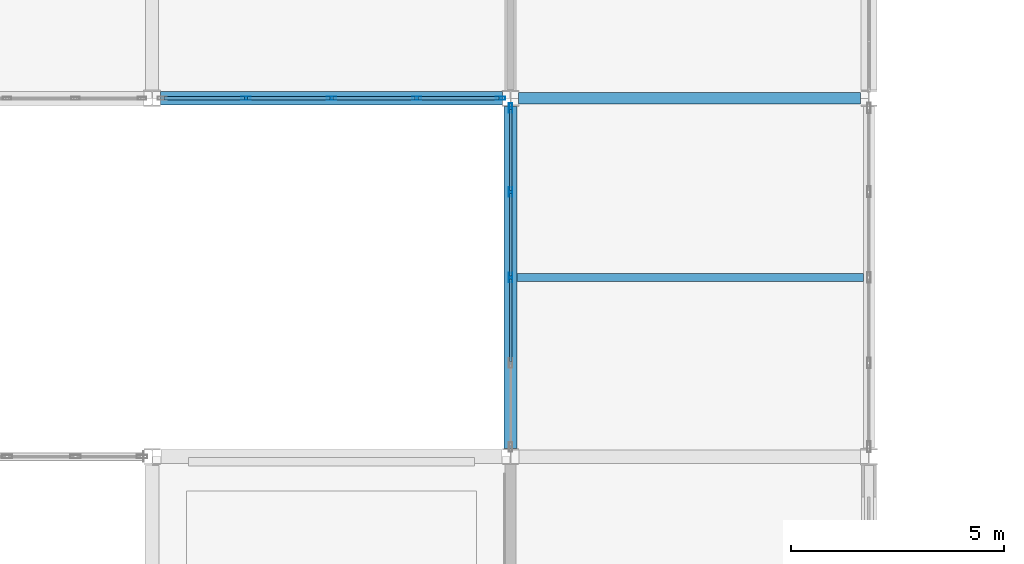
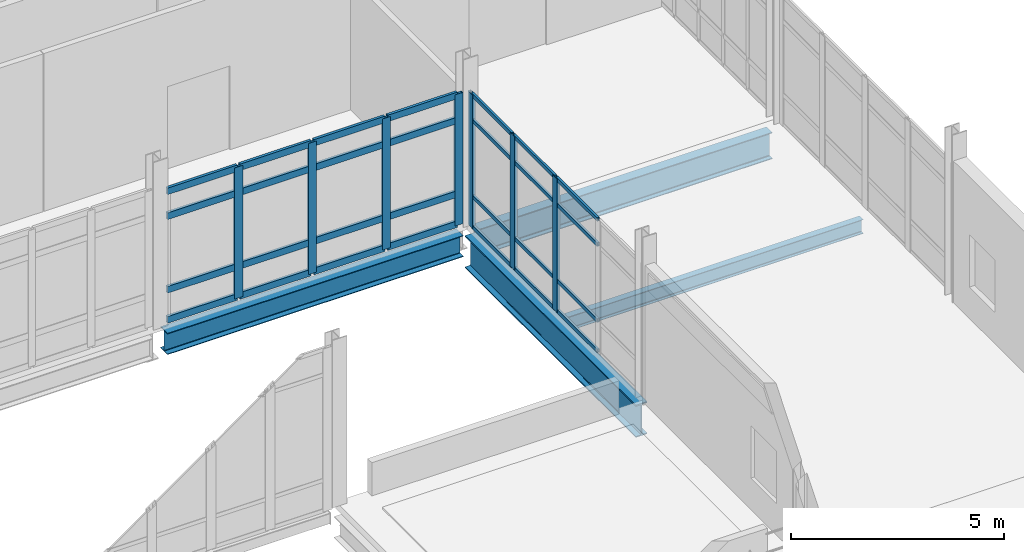
# One storey, part 50 of 186: 35 members, 4 beams, 2 elements without a shape of their own.
"""IFC4 building model written with IfcOpenShell, lengths in metres."""

from ifc_helpers import new_model, si_unit, direction, frame, origin, origin_2d, place, context, subcontext, project, spatial, hollow_rectangle, i_section, extrude, material, layer, layer_set, material_profile, profile_set, type_object, element, aggregate, save


model = new_model("IFC4")

# Units and contexts
model_context = context("Model", 3, precision=1e-05, world=origin(), true_north=direction((0.0, 1.0)))
body_context = subcontext(model_context, "Body", "Model", "MODEL_VIEW")
ifc_project = project(units=[si_unit("LENGTHUNIT", "METRE"), si_unit("AREAUNIT", "SQUARE_METRE"), si_unit("VOLUMEUNIT", "CUBIC_METRE"), si_unit("PLANEANGLEUNIT", "RADIAN"), si_unit("MASSUNIT", "GRAM", prefix="KILO")], contexts=[model_context])

# Site, building, storey
site_placement = place(None, origin())
site = spatial("IfcSite", under=ifc_project, at=site_placement, CompositionType="ELEMENT")
building_placement = place(site_placement, origin())
building = spatial("IfcBuilding", under=site, at=building_placement, Name="Calvrana Isthmian Art Gallery", CompositionType="ELEMENT")
storey_placement = place(building_placement, frame((0.0, 0.0, 5.39990234375)))
storey = spatial("IfcBuildingStorey", under=building, at=storey_placement, Name="L01", CompositionType="ELEMENT", Elevation=5.39990234375)

# Beams
ifc_material_1 = material(Name="Steel ASTM A992 Gr 50", Category="steel")
ifc_material_profile_1 = material_profile(ifc_material_1, i_section(OverallWidth=0.324951171875, OverallDepth=0.612060546875, WebThickness=0.0126953125, FlangeThickness=0.01904296875, FilletRadius=0.02197265625, at=origin_2d()), Name="W24X104")
ifc_profile_set_1 = profile_set([ifc_material_profile_1], Name="Steel ASTM A992 Gr 50")
beam_type_1 = type_object("IfcBeamType", Name="BM-G-W24X104", PredefinedType="BEAM", material=ifc_profile_set_1)
beam_1_placement = place(storey_placement, frame((63.797119140625, 30.0, -0.55078125), z_axis=(1.0, 0.0, 0.0), x_axis=(0.0, 1.0, 0.0)))
element("IfcBeam", 1, at=beam_1_placement, inside=storey, type_object=beam_type_1, Name="Girder X L01 09-10/E", PredefinedType="BEAM", context=body_context, shape_type="SweptSolid", body=[
    extrude(i_section(OverallWidth=0.324951171875, OverallDepth=0.612060546875, WebThickness=0.0126953125, FlangeThickness=0.01904296875, FilletRadius=0.02197265625, at=origin_2d()), origin(), (0.0, 0.0, 1.0), 8.016357421875),
])
ifc_material_profile_2 = material_profile(ifc_material_1, i_section(OverallWidth=0.26708984375, OverallDepth=0.761962890625, WebThickness=0.014404296875, FlangeThickness=0.021484375, FilletRadius=0.02490234375, at=origin_2d()), Name="W30X116")
ifc_profile_set_2 = profile_set([ifc_material_profile_2], Name="Steel ASTM A992 Gr 50")
beam_type_2 = type_object("IfcBeamType", Name="BM-G-W30X116", PredefinedType="BEAM", material=ifc_profile_set_2)
beam_2_placement = place(storey_placement, frame((72.1865234375, 30.0, -0.6259765625), z_axis=(1.0, 0.0, 0.0), x_axis=(0.0, 1.0, 0.0)))
element("IfcBeam", 2, at=beam_2_placement, inside=storey, type_object=beam_type_2, Name="Girder X L01 10-11/E", PredefinedType="BEAM", context=body_context, shape_type="SweptSolid", body=[
    extrude(i_section(OverallWidth=0.26708984375, OverallDepth=0.761962890625, WebThickness=0.014404296875, FlangeThickness=0.021484375, FilletRadius=0.02490234375, at=origin_2d()), origin(), (0.0, 0.0, 1.0), 8.013916015625),
])
ifc_material_profile_3 = material_profile(ifc_material_1, i_section(OverallWidth=0.306884765625, OverallDepth=0.927001953125, WebThickness=0.019287109375, FlangeThickness=0.031982421875, FilletRadius=0.028076171875, at=origin_2d()), Name="W36X194")
ifc_profile_set_3 = profile_set([ifc_material_profile_3], Name="Steel ASTM A992 Gr 50")
beam_type_3 = type_object("IfcBeamType", Name="BM-G-W36X194", PredefinedType="BEAM", material=ifc_profile_set_3)
beam_3_placement = place(storey_placement, frame((72.0, 21.797119140625, -0.70849609375), z_axis=(0.0, 1.0, 0.0), x_axis=(-1.0, 0.0, 0.0)))
element("IfcBeam", 3, at=beam_3_placement, inside=storey, type_object=beam_type_3, Name="Girder Y L01 10/D-E", PredefinedType="BEAM", context=body_context, shape_type="SweptSolid", body=[
    extrude(i_section(OverallWidth=0.306884765625, OverallDepth=0.927001953125, WebThickness=0.019287109375, FlangeThickness=0.031982421875, FilletRadius=0.028076171875, at=origin_2d()), origin(), (0.0, 0.0, 1.0), 8.016357421875),
])
ifc_material_profile_4 = material_profile(ifc_material_1, i_section(OverallWidth=0.177978515625, OverallDepth=0.404052734375, WebThickness=0.007568359375, FlangeThickness=0.010986328125, FilletRadius=0.01806640625, at=origin_2d()), Name="W16X36")
ifc_profile_set_4 = profile_set([ifc_material_profile_4], Name="Steel ASTM A992 Gr 50")
beam_type_4 = type_object("IfcBeamType", Name="BM-J-W16X36", PredefinedType="JOIST", material=ifc_profile_set_4)
beam_4_placement = place(storey_placement, frame((72.153564453125, 25.800048828125, -0.447021484375), z_axis=(1.0, 0.0, 0.0), x_axis=(0.0, 1.0, 0.0)))
element("IfcBeam", 4, at=beam_4_placement, inside=storey, type_object=beam_type_4, Name="Composite joist L01 bay 09-03", PredefinedType="JOIST", context=body_context, shape_type="SweptSolid", body=[
    extrude(i_section(OverallWidth=0.177978515625, OverallDepth=0.404052734375, WebThickness=0.007568359375, FlangeThickness=0.010986328125, FilletRadius=0.01806640625, at=origin_2d()), origin(), (0.0, 0.0, 1.0), 8.117919921875),
])

# Curtain wall, members
ifc_material_2 = material(Name="Anodized bronze aluminium 6063-T6", Category="aluminium")
ifc_layer = layer(ifc_material_2, 0.179931640625, Name="Anodized bronze aluminium 6063-T6")
ifc_layer_set = layer_set([ifc_layer], Name="Anodized bronze aluminium 6063-T6")
curtain_wall_type = type_object("IfcCurtainWallType", Name="CW-UNIT-080X38", PredefinedType="USERDEFINED", material=ifc_layer_set)
curtain_wall_1_placement = place(storey_placement, origin())
curtain_wall_1 = element("IfcCurtainWall", 5, at=curtain_wall_1_placement, inside=storey, type_object=curtain_wall_type, Name="Curtain wall CW-094", ObjectType="UNITISED CURTAIN WALL", PredefinedType="USERDEFINED")
ifc_material_profile_5 = material_profile(ifc_material_2, hollow_rectangle(XDim=0.074951171875, YDim=0.219970703125, WallThickness=0.0048828125, at=origin_2d()), Name="CWM75X220")
ifc_profile_set_5 = profile_set([ifc_material_profile_5], Name="Anodized bronze aluminium 6063-T6")
member_type_1 = type_object("IfcMemberType", Name="CWM-CWM75X220", PredefinedType="MULLION", material=ifc_profile_set_5)
member_1_placement = place(storey_placement, frame((71.765380859375, 30.0, 0.0), z_axis=(0.0, 0.0, 1.0), x_axis=(0.0, -1.0, 0.0)))
member_1 = element("IfcMember", 6, at=member_1_placement, type_object=member_type_1, Name="CW-094 mullion 1", PredefinedType="MULLION", context=body_context, shape_type="SweptSolid", body=[
    extrude(hollow_rectangle(XDim=0.074951171875, YDim=0.219970703125, WallThickness=0.0048828125, at=origin_2d()), origin(), (0.0, 0.0, 1.0), 3.758056640625),
])
member_2_placement = place(storey_placement, frame((69.8017578125, 30.0, 0.0), z_axis=(0.0, 0.0, 1.0), x_axis=(0.0, -1.0, 0.0)))
member_2 = element("IfcMember", 7, at=member_2_placement, type_object=member_type_1, Name="CW-094 mullion 2", PredefinedType="MULLION", context=body_context, shape_type="SweptSolid", body=[
    extrude(hollow_rectangle(XDim=0.074951171875, YDim=0.219970703125, WallThickness=0.0048828125, at=origin_2d()), origin(), (0.0, 0.0, 1.0), 3.758056640625),
])
member_3_placement = place(storey_placement, frame((67.800537109375, 30.0, 0.0), z_axis=(0.0, 0.0, 1.0), x_axis=(0.0, -1.0, 0.0)))
member_3 = element("IfcMember", 8, at=member_3_placement, type_object=member_type_1, Name="CW-094 mullion 3", PredefinedType="MULLION", context=body_context, shape_type="SweptSolid", body=[
    extrude(hollow_rectangle(XDim=0.074951171875, YDim=0.219970703125, WallThickness=0.0048828125, at=origin_2d()), origin(), (0.0, 0.0, 1.0), 3.758056640625),
])
member_4_placement = place(storey_placement, frame((65.79931640625, 30.0, 0.0), z_axis=(0.0, 0.0, 1.0), x_axis=(0.0, -1.0, 0.0)))
member_4 = element("IfcMember", 9, at=member_4_placement, type_object=member_type_1, Name="CW-094 mullion 4", PredefinedType="MULLION", context=body_context, shape_type="SweptSolid", body=[
    extrude(hollow_rectangle(XDim=0.074951171875, YDim=0.219970703125, WallThickness=0.0048828125, at=origin_2d()), origin(), (0.0, 0.0, 1.0), 3.758056640625),
])

curtain_wall_2_placement = place(storey_placement, origin())
curtain_wall_2 = element("IfcCurtainWall", 10, at=curtain_wall_2_placement, inside=storey, type_object=curtain_wall_type, Name="Curtain wall CW-130", ObjectType="UNITISED CURTAIN WALL", PredefinedType="USERDEFINED")
member_5_placement = place(storey_placement, frame((72.0, 25.79931640625, 0.0), z_axis=(0.0, 0.0, 1.0), x_axis=(-1.0, 0.0, 0.0)))
member_5 = element("IfcMember", 11, at=member_5_placement, type_object=member_type_1, Name="CW-130 mullion 3", PredefinedType="MULLION", context=body_context, shape_type="SweptSolid", body=[
    extrude(hollow_rectangle(XDim=0.074951171875, YDim=0.219970703125, WallThickness=0.0048828125, at=origin_2d()), origin(), (0.0, 0.0, 1.0), 3.8271484375),
])
member_6_placement = place(storey_placement, frame((72.0, 27.8056640625, 0.0), z_axis=(0.0, 0.0, 1.0), x_axis=(-1.0, 0.0, 0.0)))
member_6 = element("IfcMember", 12, at=member_6_placement, type_object=member_type_1, Name="CW-130 mullion 4", PredefinedType="MULLION", context=body_context, shape_type="SweptSolid", body=[
    extrude(hollow_rectangle(XDim=0.074951171875, YDim=0.219970703125, WallThickness=0.0048828125, at=origin_2d()), origin(), (0.0, 0.0, 1.0), 3.8271484375),
])
member_7_placement = place(storey_placement, frame((72.0, 29.7744140625, 0.0), z_axis=(0.0, 0.0, 1.0), x_axis=(-1.0, 0.0, 0.0)))
member_7 = element("IfcMember", 13, at=member_7_placement, type_object=member_type_1, Name="CW-130 mullion 5", PredefinedType="MULLION", context=body_context, shape_type="SweptSolid", body=[
    extrude(hollow_rectangle(XDim=0.074951171875, YDim=0.219970703125, WallThickness=0.0048828125, at=origin_2d()), origin(), (0.0, 0.0, 1.0), 3.8271484375),
])
ifc_material_profile_6 = material_profile(ifc_material_2, hollow_rectangle(XDim=0.06005859375, YDim=0.110107421875, WallThickness=0.00341796875, at=origin_2d()), Name="CWT60X110")
ifc_profile_set_6 = profile_set([ifc_material_profile_6], Name="Anodized bronze aluminium 6063-T6")
member_type_2 = type_object("IfcMemberType", Name="CWT-CWT60X110", PredefinedType="USERDEFINED", material=ifc_profile_set_6)
member_8_placement = place(storey_placement, frame((72.0, 23.830322265625, 0.030029296875), z_axis=(0.0, 1.0, 0.0), x_axis=(-1.0, 0.0, 0.0)))
member_8 = element("IfcMember", 14, at=member_8_placement, type_object=member_type_2, Name="CW-130 transom 2.1", ObjectType="TRANSOM", PredefinedType="USERDEFINED", context=body_context, shape_type="SweptSolid", body=[
    extrude(hollow_rectangle(XDim=0.06005859375, YDim=0.110107421875, WallThickness=0.00341796875, at=origin_2d()), origin(), (0.0, 0.0, 1.0), 1.931396484375),
])
member_9_placement = place(storey_placement, frame((72.0, 23.830322265625, 0.900146484375), z_axis=(0.0, 1.0, 0.0), x_axis=(-1.0, 0.0, 0.0)))
member_9 = element("IfcMember", 15, at=member_9_placement, type_object=member_type_2, Name="CW-130 transom 2.2", ObjectType="TRANSOM", PredefinedType="USERDEFINED", context=body_context, shape_type="SweptSolid", body=[
    extrude(hollow_rectangle(XDim=0.06005859375, YDim=0.110107421875, WallThickness=0.00341796875, at=origin_2d()), origin(), (0.0, 0.0, 1.0), 1.931396484375),
])
member_10_placement = place(storey_placement, frame((72.0, 23.830322265625, 3.0771484375), z_axis=(0.0, 1.0, 0.0), x_axis=(-1.0, 0.0, 0.0)))
member_10 = element("IfcMember", 16, at=member_10_placement, type_object=member_type_2, Name="CW-130 transom 2.3", ObjectType="TRANSOM", PredefinedType="USERDEFINED", context=body_context, shape_type="SweptSolid", body=[
    extrude(hollow_rectangle(XDim=0.06005859375, YDim=0.110107421875, WallThickness=0.00341796875, at=origin_2d()), origin(), (0.0, 0.0, 1.0), 1.931396484375),
])
member_11_placement = place(storey_placement, frame((72.0, 23.830322265625, 3.797119140625), z_axis=(0.0, 1.0, 0.0), x_axis=(-1.0, 0.0, 0.0)))
member_11 = element("IfcMember", 17, at=member_11_placement, type_object=member_type_2, Name="CW-130 transom 2.4", ObjectType="TRANSOM", PredefinedType="USERDEFINED", context=body_context, shape_type="SweptSolid", body=[
    extrude(hollow_rectangle(XDim=0.06005859375, YDim=0.110107421875, WallThickness=0.00341796875, at=origin_2d()), origin(), (0.0, 0.0, 1.0), 1.931396484375),
])
member_12_placement = place(storey_placement, frame((72.0, 25.836669921875, 0.030029296875), z_axis=(0.0, 1.0, 0.0), x_axis=(-1.0, 0.0, 0.0)))
member_12 = element("IfcMember", 18, at=member_12_placement, type_object=member_type_2, Name="CW-130 transom 3.1", ObjectType="TRANSOM", PredefinedType="USERDEFINED", context=body_context, shape_type="SweptSolid", body=[
    extrude(hollow_rectangle(XDim=0.06005859375, YDim=0.110107421875, WallThickness=0.00341796875, at=origin_2d()), origin(), (0.0, 0.0, 1.0), 1.931396484375),
])
member_13_placement = place(storey_placement, frame((72.0, 25.836669921875, 0.900146484375), z_axis=(0.0, 1.0, 0.0), x_axis=(-1.0, 0.0, 0.0)))
member_13 = element("IfcMember", 19, at=member_13_placement, type_object=member_type_2, Name="CW-130 transom 3.2", ObjectType="TRANSOM", PredefinedType="USERDEFINED", context=body_context, shape_type="SweptSolid", body=[
    extrude(hollow_rectangle(XDim=0.06005859375, YDim=0.110107421875, WallThickness=0.00341796875, at=origin_2d()), origin(), (0.0, 0.0, 1.0), 1.931396484375),
])
member_14_placement = place(storey_placement, frame((72.0, 25.836669921875, 3.0771484375), z_axis=(0.0, 1.0, 0.0), x_axis=(-1.0, 0.0, 0.0)))
member_14 = element("IfcMember", 20, at=member_14_placement, type_object=member_type_2, Name="CW-130 transom 3.3", ObjectType="TRANSOM", PredefinedType="USERDEFINED", context=body_context, shape_type="SweptSolid", body=[
    extrude(hollow_rectangle(XDim=0.06005859375, YDim=0.110107421875, WallThickness=0.00341796875, at=origin_2d()), origin(), (0.0, 0.0, 1.0), 1.931396484375),
])
member_15_placement = place(storey_placement, frame((72.0, 25.836669921875, 3.797119140625), z_axis=(0.0, 1.0, 0.0), x_axis=(-1.0, 0.0, 0.0)))
member_15 = element("IfcMember", 21, at=member_15_placement, type_object=member_type_2, Name="CW-130 transom 3.4", ObjectType="TRANSOM", PredefinedType="USERDEFINED", context=body_context, shape_type="SweptSolid", body=[
    extrude(hollow_rectangle(XDim=0.06005859375, YDim=0.110107421875, WallThickness=0.00341796875, at=origin_2d()), origin(), (0.0, 0.0, 1.0), 1.931396484375),
])
member_16_placement = place(storey_placement, frame((72.0, 27.843017578125, 0.030029296875), z_axis=(0.0, 1.0, 0.0), x_axis=(-1.0, 0.0, 0.0)))
member_16 = element("IfcMember", 22, at=member_16_placement, type_object=member_type_2, Name="CW-130 transom 4.1", ObjectType="TRANSOM", PredefinedType="USERDEFINED", context=body_context, shape_type="SweptSolid", body=[
    extrude(hollow_rectangle(XDim=0.06005859375, YDim=0.110107421875, WallThickness=0.00341796875, at=origin_2d()), origin(), (0.0, 0.0, 1.0), 1.89404296875),
])
member_17_placement = place(storey_placement, frame((72.0, 27.843017578125, 0.900146484375), z_axis=(0.0, 1.0, 0.0), x_axis=(-1.0, 0.0, 0.0)))
member_17 = element("IfcMember", 23, at=member_17_placement, type_object=member_type_2, Name="CW-130 transom 4.2", ObjectType="TRANSOM", PredefinedType="USERDEFINED", context=body_context, shape_type="SweptSolid", body=[
    extrude(hollow_rectangle(XDim=0.06005859375, YDim=0.110107421875, WallThickness=0.00341796875, at=origin_2d()), origin(), (0.0, 0.0, 1.0), 1.89404296875),
])
member_18_placement = place(storey_placement, frame((72.0, 27.843017578125, 3.0771484375), z_axis=(0.0, 1.0, 0.0), x_axis=(-1.0, 0.0, 0.0)))
member_18 = element("IfcMember", 24, at=member_18_placement, type_object=member_type_2, Name="CW-130 transom 4.3", ObjectType="TRANSOM", PredefinedType="USERDEFINED", context=body_context, shape_type="SweptSolid", body=[
    extrude(hollow_rectangle(XDim=0.06005859375, YDim=0.110107421875, WallThickness=0.00341796875, at=origin_2d()), origin(), (0.0, 0.0, 1.0), 1.89404296875),
])
member_19_placement = place(storey_placement, frame((72.0, 27.843017578125, 3.797119140625), z_axis=(0.0, 1.0, 0.0), x_axis=(-1.0, 0.0, 0.0)))
member_19 = element("IfcMember", 25, at=member_19_placement, type_object=member_type_2, Name="CW-130 transom 4.4", ObjectType="TRANSOM", PredefinedType="USERDEFINED", context=body_context, shape_type="SweptSolid", body=[
    extrude(hollow_rectangle(XDim=0.06005859375, YDim=0.110107421875, WallThickness=0.00341796875, at=origin_2d()), origin(), (0.0, 0.0, 1.0), 1.89404296875),
])
aggregate(curtain_wall_2, [member_5, member_6, member_7, member_8, member_9, member_10, member_11, member_12, member_13, member_14, member_15, member_16, member_17, member_18, member_19])

# Member
ifc_material_profile_7 = material_profile(ifc_material_2, hollow_rectangle(XDim=0.074951171875, YDim=0.18994140625, WallThickness=0.00439453125, at=origin_2d()), Name="CWT75X190")
ifc_profile_set_7 = profile_set([ifc_material_profile_7], Name="Anodized bronze aluminium 6063-T6")
member_type_3 = type_object("IfcMemberType", Name="CWT-CWT75X190", PredefinedType="USERDEFINED", material=ifc_profile_set_7)
member_20_placement = place(storey_placement, frame((71.72802734375, 30.0, 0.03759765625), z_axis=(-1.0, 0.0, 0.0), x_axis=(0.0, -1.0, 0.0)))
member_20 = element("IfcMember", 26, at=member_20_placement, type_object=member_type_3, Name="CW-094 transom 1.1", ObjectType="TRANSOM", PredefinedType="USERDEFINED", context=body_context, shape_type="SweptSolid", body=[
    extrude(hollow_rectangle(XDim=0.074951171875, YDim=0.18994140625, WallThickness=0.00439453125, at=origin_2d()), origin(), (0.0, 0.0, 1.0), 1.888671875),
])

member_21_placement = place(storey_placement, frame((71.72802734375, 30.0, 0.900146484375), z_axis=(-1.0, 0.0, 0.0), x_axis=(0.0, -1.0, 0.0)))
member_21 = element("IfcMember", 27, at=member_21_placement, type_object=member_type_3, Name="CW-094 transom 1.2", ObjectType="TRANSOM", PredefinedType="USERDEFINED", context=body_context, shape_type="SweptSolid", body=[
    extrude(hollow_rectangle(XDim=0.074951171875, YDim=0.18994140625, WallThickness=0.00439453125, at=origin_2d()), origin(), (0.0, 0.0, 1.0), 1.888671875),
])

member_22_placement = place(storey_placement, frame((71.72802734375, 30.0, 3.008056640625), z_axis=(-1.0, 0.0, 0.0), x_axis=(0.0, -1.0, 0.0)))
member_22 = element("IfcMember", 28, at=member_22_placement, type_object=member_type_3, Name="CW-094 transom 1.3", ObjectType="TRANSOM", PredefinedType="USERDEFINED", context=body_context, shape_type="SweptSolid", body=[
    extrude(hollow_rectangle(XDim=0.074951171875, YDim=0.18994140625, WallThickness=0.00439453125, at=origin_2d()), origin(), (0.0, 0.0, 1.0), 1.888671875),
])

member_23_placement = place(storey_placement, frame((71.72802734375, 30.0, 3.720703125), z_axis=(-1.0, 0.0, 0.0), x_axis=(0.0, -1.0, 0.0)))
member_23 = element("IfcMember", 29, at=member_23_placement, type_object=member_type_3, Name="CW-094 transom 1.4", ObjectType="TRANSOM", PredefinedType="USERDEFINED", context=body_context, shape_type="SweptSolid", body=[
    extrude(hollow_rectangle(XDim=0.074951171875, YDim=0.18994140625, WallThickness=0.00439453125, at=origin_2d()), origin(), (0.0, 0.0, 1.0), 1.888671875),
])

member_24_placement = place(storey_placement, frame((69.76416015625, 30.0, 0.03759765625), z_axis=(-1.0, 0.0, 0.0), x_axis=(0.0, -1.0, 0.0)))
member_24 = element("IfcMember", 30, at=member_24_placement, type_object=member_type_3, Name="CW-094 transom 2.1", ObjectType="TRANSOM", PredefinedType="USERDEFINED", context=body_context, shape_type="SweptSolid", body=[
    extrude(hollow_rectangle(XDim=0.074951171875, YDim=0.18994140625, WallThickness=0.00439453125, at=origin_2d()), origin(), (0.0, 0.0, 1.0), 1.92626953125),
])

member_25_placement = place(storey_placement, frame((69.76416015625, 30.0, 0.900146484375), z_axis=(-1.0, 0.0, 0.0), x_axis=(0.0, -1.0, 0.0)))
member_25 = element("IfcMember", 31, at=member_25_placement, type_object=member_type_3, Name="CW-094 transom 2.2", ObjectType="TRANSOM", PredefinedType="USERDEFINED", context=body_context, shape_type="SweptSolid", body=[
    extrude(hollow_rectangle(XDim=0.074951171875, YDim=0.18994140625, WallThickness=0.00439453125, at=origin_2d()), origin(), (0.0, 0.0, 1.0), 1.92626953125),
])

member_26_placement = place(storey_placement, frame((69.76416015625, 30.0, 3.008056640625), z_axis=(-1.0, 0.0, 0.0), x_axis=(0.0, -1.0, 0.0)))
member_26 = element("IfcMember", 32, at=member_26_placement, type_object=member_type_3, Name="CW-094 transom 2.3", ObjectType="TRANSOM", PredefinedType="USERDEFINED", context=body_context, shape_type="SweptSolid", body=[
    extrude(hollow_rectangle(XDim=0.074951171875, YDim=0.18994140625, WallThickness=0.00439453125, at=origin_2d()), origin(), (0.0, 0.0, 1.0), 1.92626953125),
])

member_27_placement = place(storey_placement, frame((69.76416015625, 30.0, 3.720703125), z_axis=(-1.0, 0.0, 0.0), x_axis=(0.0, -1.0, 0.0)))
member_27 = element("IfcMember", 33, at=member_27_placement, type_object=member_type_3, Name="CW-094 transom 2.4", ObjectType="TRANSOM", PredefinedType="USERDEFINED", context=body_context, shape_type="SweptSolid", body=[
    extrude(hollow_rectangle(XDim=0.074951171875, YDim=0.18994140625, WallThickness=0.00439453125, at=origin_2d()), origin(), (0.0, 0.0, 1.0), 1.92626953125),
])

member_28_placement = place(storey_placement, frame((67.762939453125, 30.0, 0.03759765625), z_axis=(-1.0, 0.0, 0.0), x_axis=(0.0, -1.0, 0.0)))
member_28 = element("IfcMember", 34, at=member_28_placement, type_object=member_type_3, Name="CW-094 transom 3.1", ObjectType="TRANSOM", PredefinedType="USERDEFINED", context=body_context, shape_type="SweptSolid", body=[
    extrude(hollow_rectangle(XDim=0.074951171875, YDim=0.18994140625, WallThickness=0.00439453125, at=origin_2d()), origin(), (0.0, 0.0, 1.0), 1.92626953125),
])

member_29_placement = place(storey_placement, frame((67.762939453125, 30.0, 0.900146484375), z_axis=(-1.0, 0.0, 0.0), x_axis=(0.0, -1.0, 0.0)))
member_29 = element("IfcMember", 35, at=member_29_placement, type_object=member_type_3, Name="CW-094 transom 3.2", ObjectType="TRANSOM", PredefinedType="USERDEFINED", context=body_context, shape_type="SweptSolid", body=[
    extrude(hollow_rectangle(XDim=0.074951171875, YDim=0.18994140625, WallThickness=0.00439453125, at=origin_2d()), origin(), (0.0, 0.0, 1.0), 1.92626953125),
])

member_30_placement = place(storey_placement, frame((67.762939453125, 30.0, 3.008056640625), z_axis=(-1.0, 0.0, 0.0), x_axis=(0.0, -1.0, 0.0)))
member_30 = element("IfcMember", 36, at=member_30_placement, type_object=member_type_3, Name="CW-094 transom 3.3", ObjectType="TRANSOM", PredefinedType="USERDEFINED", context=body_context, shape_type="SweptSolid", body=[
    extrude(hollow_rectangle(XDim=0.074951171875, YDim=0.18994140625, WallThickness=0.00439453125, at=origin_2d()), origin(), (0.0, 0.0, 1.0), 1.92626953125),
])

member_31_placement = place(storey_placement, frame((67.762939453125, 30.0, 3.720703125), z_axis=(-1.0, 0.0, 0.0), x_axis=(0.0, -1.0, 0.0)))
member_31 = element("IfcMember", 37, at=member_31_placement, type_object=member_type_3, Name="CW-094 transom 3.4", ObjectType="TRANSOM", PredefinedType="USERDEFINED", context=body_context, shape_type="SweptSolid", body=[
    extrude(hollow_rectangle(XDim=0.074951171875, YDim=0.18994140625, WallThickness=0.00439453125, at=origin_2d()), origin(), (0.0, 0.0, 1.0), 1.92626953125),
])

member_32_placement = place(storey_placement, frame((65.76171875, 30.0, 0.03759765625), z_axis=(-1.0, 0.0, 0.0), x_axis=(0.0, -1.0, 0.0)))
member_32 = element("IfcMember", 38, at=member_32_placement, type_object=member_type_3, Name="CW-094 transom 4.1", ObjectType="TRANSOM", PredefinedType="USERDEFINED", context=body_context, shape_type="SweptSolid", body=[
    extrude(hollow_rectangle(XDim=0.074951171875, YDim=0.18994140625, WallThickness=0.00439453125, at=origin_2d()), origin(), (0.0, 0.0, 1.0), 1.888671875),
])

member_33_placement = place(storey_placement, frame((65.76171875, 30.0, 0.900146484375), z_axis=(-1.0, 0.0, 0.0), x_axis=(0.0, -1.0, 0.0)))
member_33 = element("IfcMember", 39, at=member_33_placement, type_object=member_type_3, Name="CW-094 transom 4.2", ObjectType="TRANSOM", PredefinedType="USERDEFINED", context=body_context, shape_type="SweptSolid", body=[
    extrude(hollow_rectangle(XDim=0.074951171875, YDim=0.18994140625, WallThickness=0.00439453125, at=origin_2d()), origin(), (0.0, 0.0, 1.0), 1.888671875),
])

member_34_placement = place(storey_placement, frame((65.76171875, 30.0, 3.008056640625), z_axis=(-1.0, 0.0, 0.0), x_axis=(0.0, -1.0, 0.0)))
member_34 = element("IfcMember", 40, at=member_34_placement, type_object=member_type_3, Name="CW-094 transom 4.3", ObjectType="TRANSOM", PredefinedType="USERDEFINED", context=body_context, shape_type="SweptSolid", body=[
    extrude(hollow_rectangle(XDim=0.074951171875, YDim=0.18994140625, WallThickness=0.00439453125, at=origin_2d()), origin(), (0.0, 0.0, 1.0), 1.888671875),
])

member_35_placement = place(storey_placement, frame((65.76171875, 30.0, 3.720703125), z_axis=(-1.0, 0.0, 0.0), x_axis=(0.0, -1.0, 0.0)))
member_35 = element("IfcMember", 41, at=member_35_placement, type_object=member_type_3, Name="CW-094 transom 4.4", ObjectType="TRANSOM", PredefinedType="USERDEFINED", context=body_context, shape_type="SweptSolid", body=[
    extrude(hollow_rectangle(XDim=0.074951171875, YDim=0.18994140625, WallThickness=0.00439453125, at=origin_2d()), origin(), (0.0, 0.0, 1.0), 1.888671875),
])

aggregate(curtain_wall_1, [member_1, member_2, member_3, member_4, member_20, member_21, member_22, member_23, member_24, member_25, member_26, member_27, member_28, member_29, member_30, member_31, member_32, member_33, member_34, member_35])

save(model, "model.ifc")
